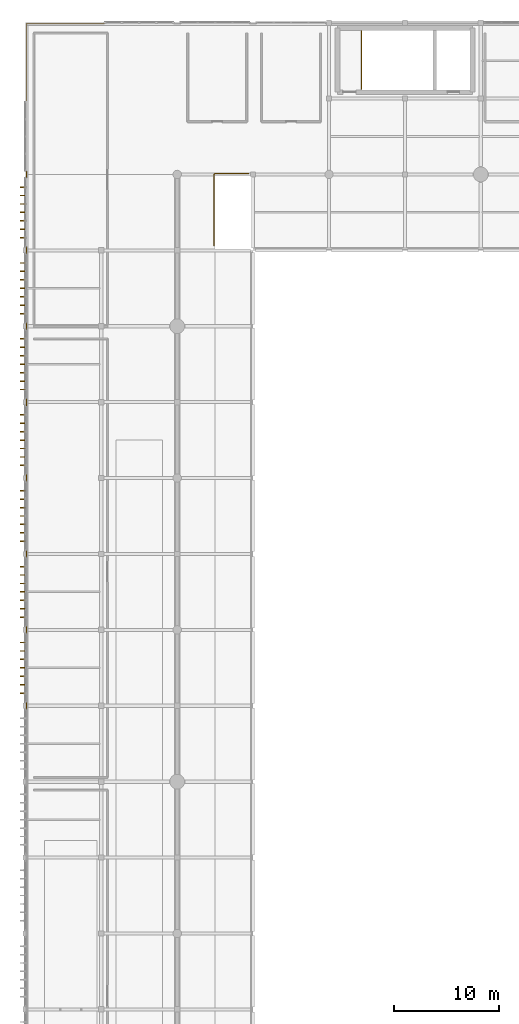
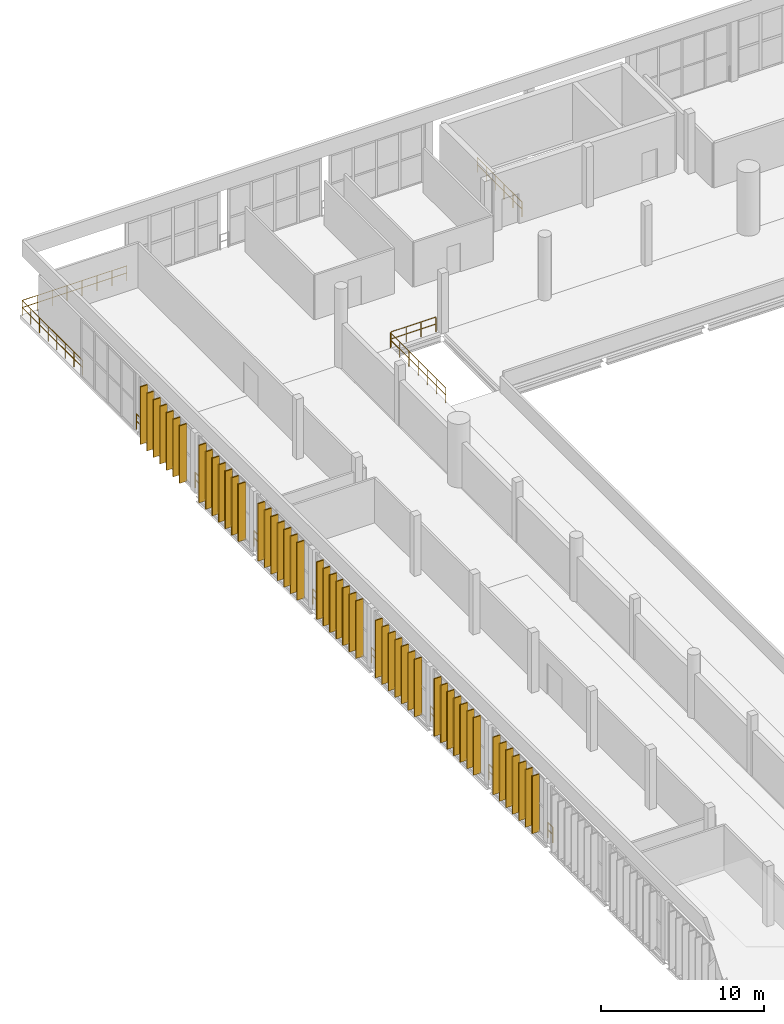
# One storey, part 62 of 64: 49 coverings, 28 shading devices, 11 railings.
"""IFC4 building model written with IfcOpenShell, lengths in metres."""

from ifc_helpers import new_model, si_unit, direction, frame, origin, origin_2d, place, context, subcontext, project, spatial, rectangle, circle, extrude, material, layer, layer_set, type_object, element, save


model = new_model("IFC4")

# Units and contexts
model_context = context("Model", 3, precision=1e-05, world=origin(), true_north=direction((0.0, 1.0)))
body_context = subcontext(model_context, "Body", "Model", "MODEL_VIEW")
ifc_project = project(units=[si_unit("LENGTHUNIT", "METRE"), si_unit("AREAUNIT", "SQUARE_METRE"), si_unit("VOLUMEUNIT", "CUBIC_METRE"), si_unit("PLANEANGLEUNIT", "RADIAN"), si_unit("MASSUNIT", "GRAM", prefix="KILO")], contexts=[model_context])

# Site, building, storey
site_placement = place(None, origin())
site = spatial("IfcSite", under=ifc_project, at=site_placement, CompositionType="ELEMENT")
building_placement = place(site_placement, origin())
building = spatial("IfcBuilding", under=site, at=building_placement, Name="Qandorah Velis Arena", CompositionType="ELEMENT")
storey_placement = place(building_placement, frame((0.0, 0.0, 23.0)))
storey = spatial("IfcBuildingStorey", under=building, at=storey_placement, Name="L05", CompositionType="ELEMENT", Elevation=23.0)

# Coverings
ifc_material_1 = material(Name="Champagne-bronze anodized aluminium 6063-T6", Category="aluminium")
ifc_layer = layer(ifc_material_1, 0.0849609375)
ifc_layer_set = layer_set([ifc_layer], Name="Champagne-bronze anodized aluminium 6063-T6")
covering_type = type_object("IfcCoveringType", Name="ARC-COV-FIN520", PredefinedType="CLADDING", material=ifc_layer_set)
for number, where, z_axis, x_axis, name in (
    (1, (-0.251953125, 66.0, -0.01025390625), (0.0, 0.0, 1.0), (1.0, 0.0, 0.0), "Vertical champagne-bronze solar fin blade WNG-W-L05-09-001"),
    (2, (-0.251953125, 66.800048828125, -0.01025390625), (0.0, 0.0, 1.0), (1.0, 0.0, 0.0), "Vertical champagne-bronze solar fin blade WNG-W-L05-09-002"),
    (3, (-0.251953125, 67.60009765625, -0.01025390625), (0.0, 0.0, 1.0), (1.0, 0.0, 0.0), "Vertical champagne-bronze solar fin blade WNG-W-L05-09-003"),
    (4, (-0.251953125, 68.39990234375, -0.01025390625), (0.0, 0.0, 1.0), (1.0, 0.0, 0.0), "Vertical champagne-bronze solar fin blade WNG-W-L05-09-004"),
    (5, (-0.251953125, 69.199951171875, -0.01025390625), (0.0, 0.0, 1.0), (1.0, 0.0, 0.0), "Vertical champagne-bronze solar fin blade WNG-W-L05-09-005"),
    (6, (-0.251953125, 70.0, -0.01025390625), (0.0, 0.0, 1.0), (1.0, 0.0, 0.0), "Vertical champagne-bronze solar fin blade WNG-W-L05-09-006"),
    (7, (-0.251953125, 70.800048828125, -0.01025390625), (0.0, 0.0, 1.0), (1.0, 0.0, 0.0), "Vertical champagne-bronze solar fin blade WNG-W-L05-09-007"),
    (8, (-0.251953125, 73.199951171875, -0.01025390625), (0.0, 0.0, 1.0), (1.0, 0.0, 0.0), "Vertical champagne-bronze solar fin blade WNG-W-L05-10-001"),
    (9, (-0.251953125, 74.0, -0.01025390625), (0.0, 0.0, 1.0), (1.0, 0.0, 0.0), "Vertical champagne-bronze solar fin blade WNG-W-L05-10-002"),
    (10, (-0.251953125, 74.800048828125, -0.01025390625), (0.0, 0.0, 1.0), (1.0, 0.0, 0.0), "Vertical champagne-bronze solar fin blade WNG-W-L05-10-003"),
    (11, (-0.251953125, 75.60009765625, -0.01025390625), (0.0, 0.0, 1.0), (1.0, 0.0, 0.0), "Vertical champagne-bronze solar fin blade WNG-W-L05-10-004"),
    (12, (-0.251953125, 76.39990234375, -0.01025390625), (0.0, 0.0, 1.0), (1.0, 0.0, 0.0), "Vertical champagne-bronze solar fin blade WNG-W-L05-10-005"),
    (13, (-0.251953125, 77.199951171875, -0.01025390625), (0.0, 0.0, 1.0), (1.0, 0.0, 0.0), "Vertical champagne-bronze solar fin blade WNG-W-L05-10-006"),
    (14, (-0.251953125, 78.0, -0.01025390625), (0.0, 0.0, 1.0), (1.0, 0.0, 0.0), "Vertical champagne-bronze solar fin blade WNG-W-L05-10-007"),
    (15, (-0.251953125, 80.39990234375, -0.01025390625), (0.0, 0.0, 1.0), (1.0, 0.0, 0.0), "Vertical champagne-bronze solar fin blade WNG-W-L05-11-001"),
    (16, (-0.251953125, 81.199951171875, -0.01025390625), (0.0, 0.0, 1.0), (1.0, 0.0, 0.0), "Vertical champagne-bronze solar fin blade WNG-W-L05-11-002"),
    (17, (-0.251953125, 82.0, -0.01025390625), (0.0, 0.0, 1.0), (1.0, 0.0, 0.0), "Vertical champagne-bronze solar fin blade WNG-W-L05-11-003"),
    (18, (-0.251953125, 82.800048828125, -0.01025390625), (0.0, 0.0, 1.0), (1.0, 0.0, 0.0), "Vertical champagne-bronze solar fin blade WNG-W-L05-11-004"),
    (19, (-0.251953125, 83.60009765625, -0.01025390625), (0.0, 0.0, 1.0), (1.0, 0.0, 0.0), "Vertical champagne-bronze solar fin blade WNG-W-L05-11-005"),
    (20, (-0.251953125, 84.39990234375, -0.01025390625), (0.0, 0.0, 1.0), (1.0, 0.0, 0.0), "Vertical champagne-bronze solar fin blade WNG-W-L05-11-006"),
    (21, (-0.251953125, 85.199951171875, -0.01025390625), (0.0, 0.0, 1.0), (1.0, 0.0, 0.0), "Vertical champagne-bronze solar fin blade WNG-W-L05-11-007"),
    (22, (-0.251953125, 87.60009765625, -0.01025390625), (0.0, 0.0, 1.0), (1.0, 0.0, 0.0), "Vertical champagne-bronze solar fin blade WNG-W-L05-12-001"),
    (23, (-0.251953125, 88.39990234375, -0.01025390625), (0.0, 0.0, 1.0), (1.0, 0.0, 0.0), "Vertical champagne-bronze solar fin blade WNG-W-L05-12-002"),
    (24, (-0.251953125, 89.199951171875, -0.01025390625), (0.0, 0.0, 1.0), (1.0, 0.0, 0.0), "Vertical champagne-bronze solar fin blade WNG-W-L05-12-003"),
    (25, (-0.251953125, 90.0, -0.01025390625), (0.0, 0.0, 1.0), (1.0, 0.0, 0.0), "Vertical champagne-bronze solar fin blade WNG-W-L05-12-004"),
    (26, (-0.251953125, 90.800048828125, -0.01025390625), (0.0, 0.0, 1.0), (1.0, 0.0, 0.0), "Vertical champagne-bronze solar fin blade WNG-W-L05-12-005"),
    (27, (-0.251953125, 91.60009765625, -0.01025390625), (0.0, 0.0, 1.0), (1.0, 0.0, 0.0), "Vertical champagne-bronze solar fin blade WNG-W-L05-12-006"),
    (28, (-0.251953125, 92.39990234375, -0.01025390625), (0.0, 0.0, 1.0), (1.0, 0.0, 0.0), "Vertical champagne-bronze solar fin blade WNG-W-L05-12-007"),
    (29, (-0.251953125, 94.800048828125, -0.01025390625), (0.0, 0.0, 1.0), (1.0, 0.0, 0.0), "Vertical champagne-bronze solar fin blade WNG-W-L05-13-001"),
    (30, (-0.251953125, 95.60009765625, -0.01025390625), (0.0, 0.0, 1.0), (1.0, 0.0, 0.0), "Vertical champagne-bronze solar fin blade WNG-W-L05-13-002"),
    (31, (-0.251953125, 96.39990234375, -0.01025390625), (0.0, 0.0, 1.0), (1.0, 0.0, 0.0), "Vertical champagne-bronze solar fin blade WNG-W-L05-13-003"),
    (32, (-0.251953125, 97.199951171875, -0.01025390625), (0.0, 0.0, 1.0), (1.0, 0.0, 0.0), "Vertical champagne-bronze solar fin blade WNG-W-L05-13-004"),
    (33, (-0.251953125, 98.0, -0.01025390625), (0.0, 0.0, 1.0), (1.0, 0.0, 0.0), "Vertical champagne-bronze solar fin blade WNG-W-L05-13-005"),
    (34, (-0.251953125, 98.800048828125, -0.01025390625), (0.0, 0.0, 1.0), (1.0, 0.0, 0.0), "Vertical champagne-bronze solar fin blade WNG-W-L05-13-006"),
    (35, (-0.251953125, 99.60009765625, -0.01025390625), (0.0, 0.0, 1.0), (1.0, 0.0, 0.0), "Vertical champagne-bronze solar fin blade WNG-W-L05-13-007"),
    (36, (-0.251953125, 102.0, -0.01025390625), (0.0, 0.0, 1.0), (1.0, 0.0, 0.0), "Vertical champagne-bronze solar fin blade WNG-W-L05-14-001"),
    (37, (-0.251953125, 102.800048828125, -0.01025390625), (0.0, 0.0, 1.0), (1.0, 0.0, 0.0), "Vertical champagne-bronze solar fin blade WNG-W-L05-14-002"),
    (38, (-0.251953125, 103.60009765625, -0.01025390625), (0.0, 0.0, 1.0), (1.0, 0.0, 0.0), "Vertical champagne-bronze solar fin blade WNG-W-L05-14-003"),
    (39, (-0.251953125, 104.39990234375, -0.01025390625), (0.0, 0.0, 1.0), (1.0, 0.0, 0.0), "Vertical champagne-bronze solar fin blade WNG-W-L05-14-004"),
    (40, (-0.251953125, 105.199951171875, -0.01025390625), (0.0, 0.0, 1.0), (1.0, 0.0, 0.0), "Vertical champagne-bronze solar fin blade WNG-W-L05-14-005"),
    (41, (-0.251953125, 106.0, -0.01025390625), (0.0, 0.0, 1.0), (1.0, 0.0, 0.0), "Vertical champagne-bronze solar fin blade WNG-W-L05-14-006"),
    (42, (-0.251953125, 106.800048828125, -0.01025390625), (0.0, 0.0, 1.0), (1.0, 0.0, 0.0), "Vertical champagne-bronze solar fin blade WNG-W-L05-14-007"),
    (43, (-0.251953125, 109.199951171875, -0.01025390625), (0.0, 0.0, 1.0), (1.0, 0.0, 0.0), "Vertical champagne-bronze solar fin blade WNG-W-L05-15-001"),
    (44, (-0.251953125, 110.0, -0.01025390625), (0.0, 0.0, 1.0), (1.0, 0.0, 0.0), "Vertical champagne-bronze solar fin blade WNG-W-L05-15-002"),
    (45, (-0.251953125, 110.800048828125, -0.01025390625), (0.0, 0.0, 1.0), (1.0, 0.0, 0.0), "Vertical champagne-bronze solar fin blade WNG-W-L05-15-003"),
    (46, (-0.251953125, 111.60009765625, -0.01025390625), (0.0, 0.0, 1.0), (1.0, 0.0, 0.0), "Vertical champagne-bronze solar fin blade WNG-W-L05-15-004"),
    (47, (-0.251953125, 112.39990234375, -0.01025390625), (0.0, 0.0, 1.0), (1.0, 0.0, 0.0), "Vertical champagne-bronze solar fin blade WNG-W-L05-15-005"),
    (48, (-0.251953125, 113.199951171875, -0.01025390625), (0.0, 0.0, 1.0), (1.0, 0.0, 0.0), "Vertical champagne-bronze solar fin blade WNG-W-L05-15-006"),
    (49, (-0.251953125, 114.0, -0.01025390625), (0.0, 0.0, 1.0), (1.0, 0.0, 0.0), "Vertical champagne-bronze solar fin blade WNG-W-L05-15-007"),
):
    element("IfcCovering", number, at=place(storey_placement, frame(where, z_axis=z_axis, x_axis=x_axis)), inside=storey, type_object=covering_type, Name=name, PredefinedType="CLADDING", context=body_context, shape_type="SweptSolid", body=[
        extrude(rectangle(XDim=0.52001953125, YDim=0.0849609375, at=origin_2d()), origin(), (0.0, 0.0, 1.0), 4.300048828125),
    ])

# Railings
ifc_material_2 = material(Name="Stainless steel 316", Category="steel")
railing_type = type_object("IfcRailingType", Name="ARC-RL-GRD1150", PredefinedType="GUARDRAIL", material=ifc_material_2)
railing_1_placement = place(storey_placement, frame((31.8701171875, 123.31005859375, 0.0)))
element("IfcRailing", 50, at=railing_1_placement, inside=storey, type_object=railing_type, Name="Stair ST3 top well guardrail L05", PredefinedType="GUARDRAIL", context=body_context, shape_type="SweptSolid", body=[
    extrude(circle(Radius=0.02392578125, at=origin_2d()), frame((0.0, 0.0, 1.1259765625), z_axis=(0.0, 1.0, 0.0), x_axis=(-1.0, 0.0, 0.0)), (0.0, 0.0, 1.0), 5.47998046875),
    extrude(circle(Radius=0.02392578125, at=origin_2d()), frame((0.0, 0.0, 0.597900390625), z_axis=(0.0, 1.0, 0.0), x_axis=(-1.0, 0.0, 0.0)), (0.0, 0.0, 1.0), 5.47998046875),
    extrude(circle(Radius=0.02099609375, at=origin_2d()), origin(), (0.0, 0.0, 1.0), 1.101806640625),
    extrude(circle(Radius=0.02099609375, at=origin_2d()), frame((0.0, 1.095947265625, 0.0)), (0.0, 0.0, 1.0), 1.101806640625),
    extrude(circle(Radius=0.02099609375, at=origin_2d()), frame((0.0, 2.19189453125, 0.0)), (0.0, 0.0, 1.0), 1.101806640625),
    extrude(circle(Radius=0.02099609375, at=origin_2d()), frame((0.0, 3.2880859375, 0.0)), (0.0, 0.0, 1.0), 1.101806640625),
    extrude(circle(Radius=0.02099609375, at=origin_2d()), frame((0.0, 4.384033203125, 0.0)), (0.0, 0.0, 1.0), 1.101806640625),
    extrude(circle(Radius=0.02099609375, at=origin_2d()), frame((0.0, 5.47998046875, 0.0)), (0.0, 0.0, 1.0), 1.101806640625),
])
for number, where, name in (
    (51, (0.10009765625, 64.5, 0.0), "Slab edge safety guardrail L05-254"),
    (52, (0.10009765625, 71.699951171875, 0.0), "Slab edge safety guardrail L05-255"),
    (53, (0.10009765625, 78.89990234375, 0.0), "Slab edge safety guardrail L05-256"),
):
    element("IfcRailing", number, at=place(storey_placement, frame(where)), inside=storey, type_object=railing_type, Name=name, PredefinedType="GUARDRAIL", context=body_context, shape_type="SweptSolid", body=[
        extrude(circle(Radius=0.02392578125, at=origin_2d()), frame((0.0, 0.0, 1.1259765625), z_axis=(0.0, 1.0, 0.0), x_axis=(-1.0, 0.0, 0.0)), (0.0, 0.0, 1.0), 0.60009765625),
        extrude(circle(Radius=0.02392578125, at=origin_2d()), frame((0.0, 0.0, 0.597900390625), z_axis=(0.0, 1.0, 0.0), x_axis=(-1.0, 0.0, 0.0)), (0.0, 0.0, 1.0), 0.60009765625),
        extrude(circle(Radius=0.02099609375, at=origin_2d()), origin(), (0.0, 0.0, 1.0), 1.101806640625),
        extrude(circle(Radius=0.02099609375, at=origin_2d()), frame((0.0, 0.60009765625, 0.0)), (0.0, 0.0, 1.0), 1.101806640625),
    ])
for number, where, name in (
    (54, (0.10009765625, 86.10009765625, 0.0), "Slab edge safety guardrail L05-257"),
    (55, (0.10009765625, 93.300048828125, 0.0), "Slab edge safety guardrail L05-258"),
):
    element("IfcRailing", number, at=place(storey_placement, frame(where)), inside=storey, type_object=railing_type, Name=name, PredefinedType="GUARDRAIL", context=body_context, shape_type="SweptSolid", body=[
        extrude(circle(Radius=0.02392578125, at=origin_2d()), frame((0.0, 0.0, 1.1259765625), z_axis=(0.0, 1.0, 0.0), x_axis=(-1.0, 0.0, 0.0)), (0.0, 0.0, 1.0), 0.599853515625),
        extrude(circle(Radius=0.02392578125, at=origin_2d()), frame((0.0, 0.0, 0.597900390625), z_axis=(0.0, 1.0, 0.0), x_axis=(-1.0, 0.0, 0.0)), (0.0, 0.0, 1.0), 0.599853515625),
        extrude(circle(Radius=0.02099609375, at=origin_2d()), origin(), (0.0, 0.0, 1.0), 1.101806640625),
        extrude(circle(Radius=0.02099609375, at=origin_2d()), frame((0.0, 0.599853515625, 0.0)), (0.0, 0.0, 1.0), 1.101806640625),
    ])
for number, where, name in (
    (56, (0.10009765625, 100.5, 0.0), "Slab edge safety guardrail L05-259"),
    (57, (0.10009765625, 107.699951171875, 0.0), "Slab edge safety guardrail L05-260"),
    (58, (0.10009765625, 114.89990234375, 0.0), "Slab edge safety guardrail L05-261"),
):
    element("IfcRailing", number, at=place(storey_placement, frame(where)), inside=storey, type_object=railing_type, Name=name, PredefinedType="GUARDRAIL", context=body_context, shape_type="SweptSolid", body=[
        extrude(circle(Radius=0.02392578125, at=origin_2d()), frame((0.0, 0.0, 1.1259765625), z_axis=(0.0, 1.0, 0.0), x_axis=(-1.0, 0.0, 0.0)), (0.0, 0.0, 1.0), 0.60009765625),
        extrude(circle(Radius=0.02392578125, at=origin_2d()), frame((0.0, 0.0, 0.597900390625), z_axis=(0.0, 1.0, 0.0), x_axis=(-1.0, 0.0, 0.0)), (0.0, 0.0, 1.0), 0.60009765625),
        extrude(circle(Radius=0.02099609375, at=origin_2d()), origin(), (0.0, 0.0, 1.0), 1.101806640625),
        extrude(circle(Radius=0.02099609375, at=origin_2d()), frame((0.0, 0.60009765625, 0.0)), (0.0, 0.0, 1.0), 1.101806640625),
    ])
railing_2_placement = place(storey_placement, frame((0.10009765625, 122.10009765625, 0.0)))
element("IfcRailing", 59, at=railing_2_placement, inside=storey, type_object=railing_type, Name="Slab edge safety guardrail L05-262", PredefinedType="GUARDRAIL", context=body_context, shape_type="SweptSolid", body=[
    extrude(circle(Radius=0.02392578125, at=origin_2d()), frame((0.0, 0.0, 1.1259765625), z_axis=(0.0, 1.0, 0.0), x_axis=(-1.0, 0.0, 0.0)), (0.0, 0.0, 1.0), 7.39990234375),
    extrude(circle(Radius=0.02392578125, at=origin_2d()), frame((0.0, 0.0, 0.597900390625), z_axis=(0.0, 1.0, 0.0), x_axis=(-1.0, 0.0, 0.0)), (0.0, 0.0, 1.0), 7.39990234375),
    extrude(circle(Radius=0.02392578125, at=origin_2d()), frame((0.0, 7.39990234375, 1.1259765625), z_axis=(1.0, 0.0, 0.0), x_axis=(0.0, 1.0, 0.0)), (0.0, 0.0, 1.0), 7.39990234375),
    extrude(circle(Radius=0.02392578125, at=origin_2d()), frame((0.0, 7.39990234375, 0.597900390625), z_axis=(1.0, 0.0, 0.0), x_axis=(0.0, 1.0, 0.0)), (0.0, 0.0, 1.0), 7.39990234375),
    extrude(circle(Radius=0.02099609375, at=origin_2d()), origin(), (0.0, 0.0, 1.0), 1.101806640625),
    extrude(circle(Radius=0.02099609375, at=origin_2d()), frame((0.0, 1.05712890625, 0.0)), (0.0, 0.0, 1.0), 1.101806640625),
    extrude(circle(Radius=0.02099609375, at=origin_2d()), frame((0.0, 2.1142578125, 0.0)), (0.0, 0.0, 1.0), 1.101806640625),
    extrude(circle(Radius=0.02099609375, at=origin_2d()), frame((0.0, 3.17138671875, 0.0)), (0.0, 0.0, 1.0), 1.101806640625),
    extrude(circle(Radius=0.02099609375, at=origin_2d()), frame((0.0, 4.228515625, 0.0)), (0.0, 0.0, 1.0), 1.101806640625),
    extrude(circle(Radius=0.02099609375, at=origin_2d()), frame((0.0, 5.28564453125, 0.0)), (0.0, 0.0, 1.0), 1.101806640625),
    extrude(circle(Radius=0.02099609375, at=origin_2d()), frame((0.0, 6.3427734375, 0.0)), (0.0, 0.0, 1.0), 1.101806640625),
    extrude(circle(Radius=0.02099609375, at=origin_2d()), frame((0.0, 7.39990234375, 0.0)), (0.0, 0.0, 1.0), 1.101806640625),
    extrude(circle(Radius=0.02099609375, at=origin_2d()), frame((1.05712890625, 7.39990234375, 0.0)), (0.0, 0.0, 1.0), 1.101806640625),
    extrude(circle(Radius=0.02099609375, at=origin_2d()), frame((2.1142578125, 7.39990234375, 0.0)), (0.0, 0.0, 1.0), 1.101806640625),
    extrude(circle(Radius=0.02099609375, at=origin_2d()), frame((3.17138671875, 7.39990234375, 0.0)), (0.0, 0.0, 1.0), 1.101806640625),
    extrude(circle(Radius=0.02099609375, at=origin_2d()), frame((4.228515625, 7.39990234375, 0.0)), (0.0, 0.0, 1.0), 1.101806640625),
    extrude(circle(Radius=0.02099609375, at=origin_2d()), frame((5.28564453125, 7.39990234375, 0.0)), (0.0, 0.0, 1.0), 1.101806640625),
    extrude(circle(Radius=0.02099609375, at=origin_2d()), frame((6.3427734375, 7.39990234375, 0.0)), (0.0, 0.0, 1.0), 1.101806640625),
    extrude(circle(Radius=0.02099609375, at=origin_2d()), frame((7.39990234375, 7.39990234375, 0.0)), (0.0, 0.0, 1.0), 1.101806640625),
])
railing_3_placement = place(storey_placement, frame((21.16162109375, 115.300048828125, 0.0)))
element("IfcRailing", 60, at=railing_3_placement, inside=storey, type_object=railing_type, Name="Slab edge safety guardrail L05-271", PredefinedType="GUARDRAIL", context=body_context, shape_type="SweptSolid", body=[
    extrude(circle(Radius=0.02392578125, at=origin_2d()), frame((0.0, 0.0, 1.1259765625), z_axis=(-1.0, 0.0, 0.0), x_axis=(0.0, -1.0, 0.0)), (0.0, 0.0, 1.0), 3.16162109375),
    extrude(circle(Radius=0.02392578125, at=origin_2d()), frame((0.0, 0.0, 0.597900390625), z_axis=(-1.0, 0.0, 0.0), x_axis=(0.0, -1.0, 0.0)), (0.0, 0.0, 1.0), 3.16162109375),
    extrude(circle(Radius=0.02392578125, at=origin_2d()), frame((-3.16162109375, 0.0, 1.1259765625), z_axis=(-0.772928297309, -0.634493378388, 0.0), x_axis=(0.634493378388, -0.772928297309, 0.0)), (0.0, 0.0, 1.0), 0.126953125),
    extrude(circle(Radius=0.02392578125, at=origin_2d()), frame((-3.16162109375, 0.0, 0.597900390625), z_axis=(-0.772928297309, -0.634493378388, 0.0), x_axis=(0.634493378388, -0.772928297309, 0.0)), (0.0, 0.0, 1.0), 0.126953125),
    extrude(circle(Radius=0.02392578125, at=origin_2d()), frame((-3.259765625, -0.08056640625, 1.1259765625), z_axis=(-0.000288018421, -0.999999958523, 0.0), x_axis=(0.999999958523, -0.000288018421, 0.0)), (0.0, 0.0, 1.0), 6.78125),
    extrude(circle(Radius=0.02392578125, at=origin_2d()), frame((-3.259765625, -0.08056640625, 0.597900390625), z_axis=(-0.000288018421, -0.999999958523, 0.0), x_axis=(0.999999958523, -0.000288018421, 0.0)), (0.0, 0.0, 1.0), 6.78125),
    extrude(circle(Radius=0.02099609375, at=origin_2d()), origin(), (0.0, 0.0, 1.0), 1.101806640625),
    extrude(circle(Radius=0.02099609375, at=origin_2d()), frame((-1.053955078125, 0.0, 0.0)), (0.0, 0.0, 1.0), 1.101806640625),
    extrude(circle(Radius=0.02099609375, at=origin_2d()), frame((-2.107666015625, 0.0, 0.0)), (0.0, 0.0, 1.0), 1.101806640625),
    extrude(circle(Radius=0.02099609375, at=origin_2d()), frame((-3.16162109375, 0.0, 0.0)), (0.0, 0.0, 1.0), 1.101806640625),
    extrude(circle(Radius=0.02099609375, at=origin_2d()), frame((-3.259765625, -0.08056640625, 0.0)), (0.0, 0.0, 1.0), 1.101806640625),
    extrude(circle(Radius=0.02099609375, at=origin_2d()), frame((-3.260009765625, -1.210693359375, 0.0)), (0.0, 0.0, 1.0), 1.101806640625),
    extrude(circle(Radius=0.02099609375, at=origin_2d()), frame((-3.260498046875, -2.341064453125, 0.0)), (0.0, 0.0, 1.0), 1.101806640625),
    extrude(circle(Radius=0.02099609375, at=origin_2d()), frame((-3.2607421875, -3.47119140625, 0.0)), (0.0, 0.0, 1.0), 1.101806640625),
    extrude(circle(Radius=0.02099609375, at=origin_2d()), frame((-3.260986328125, -4.601318359375, 0.0)), (0.0, 0.0, 1.0), 1.101806640625),
    extrude(circle(Radius=0.02099609375, at=origin_2d()), frame((-3.261474609375, -5.731689453125, 0.0)), (0.0, 0.0, 1.0), 1.101806640625),
    extrude(circle(Radius=0.02099609375, at=origin_2d()), frame((-3.26171875, -6.86181640625, 0.0)), (0.0, 0.0, 1.0), 1.101806640625),
])

# Shading devices
shading_device_type = type_object("IfcShadingDeviceType", Name="ARC-SHD-FIN520", PredefinedType="USERDEFINED", material=ifc_material_1)
for number, where, z_axis, x_axis, name in (
    (61, (-0.251953125, 66.0, -0.01025390625), (0.0, 0.0, 1.0), (1.0, 0.0, 0.0), "Vertical aerofoil solar fin SF-0199"),
    (62, (-0.251953125, 67.60009765625, -0.01025390625), (0.0, 0.0, 1.0), (1.0, 0.0, 0.0), "Vertical aerofoil solar fin SF-0200"),
    (63, (-0.251953125, 69.199951171875, -0.01025390625), (0.0, 0.0, 1.0), (1.0, 0.0, 0.0), "Vertical aerofoil solar fin SF-0201"),
    (64, (-0.251953125, 70.800048828125, -0.01025390625), (0.0, 0.0, 1.0), (1.0, 0.0, 0.0), "Vertical aerofoil solar fin SF-0202"),
    (65, (-0.251953125, 73.199951171875, -0.01025390625), (0.0, 0.0, 1.0), (1.0, 0.0, 0.0), "Vertical aerofoil solar fin SF-0203"),
    (66, (-0.251953125, 74.800048828125, -0.01025390625), (0.0, 0.0, 1.0), (1.0, 0.0, 0.0), "Vertical aerofoil solar fin SF-0204"),
    (67, (-0.251953125, 76.39990234375, -0.01025390625), (0.0, 0.0, 1.0), (1.0, 0.0, 0.0), "Vertical aerofoil solar fin SF-0205"),
    (68, (-0.251953125, 78.0, -0.01025390625), (0.0, 0.0, 1.0), (1.0, 0.0, 0.0), "Vertical aerofoil solar fin SF-0206"),
    (69, (-0.251953125, 80.39990234375, -0.01025390625), (0.0, 0.0, 1.0), (1.0, 0.0, 0.0), "Vertical aerofoil solar fin SF-0207"),
    (70, (-0.251953125, 82.0, -0.01025390625), (0.0, 0.0, 1.0), (1.0, 0.0, 0.0), "Vertical aerofoil solar fin SF-0208"),
    (71, (-0.251953125, 83.60009765625, -0.01025390625), (0.0, 0.0, 1.0), (1.0, 0.0, 0.0), "Vertical aerofoil solar fin SF-0209"),
    (72, (-0.251953125, 85.199951171875, -0.01025390625), (0.0, 0.0, 1.0), (1.0, 0.0, 0.0), "Vertical aerofoil solar fin SF-0210"),
    (73, (-0.251953125, 87.60009765625, -0.01025390625), (0.0, 0.0, 1.0), (1.0, 0.0, 0.0), "Vertical aerofoil solar fin SF-0211"),
    (74, (-0.251953125, 89.199951171875, -0.01025390625), (0.0, 0.0, 1.0), (1.0, 0.0, 0.0), "Vertical aerofoil solar fin SF-0212"),
    (75, (-0.251953125, 90.800048828125, -0.01025390625), (0.0, 0.0, 1.0), (1.0, 0.0, 0.0), "Vertical aerofoil solar fin SF-0213"),
    (76, (-0.251953125, 92.39990234375, -0.01025390625), (0.0, 0.0, 1.0), (1.0, 0.0, 0.0), "Vertical aerofoil solar fin SF-0214"),
    (77, (-0.251953125, 94.800048828125, -0.01025390625), (0.0, 0.0, 1.0), (1.0, 0.0, 0.0), "Vertical aerofoil solar fin SF-0215"),
    (78, (-0.251953125, 96.39990234375, -0.01025390625), (0.0, 0.0, 1.0), (1.0, 0.0, 0.0), "Vertical aerofoil solar fin SF-0216"),
    (79, (-0.251953125, 98.0, -0.01025390625), (0.0, 0.0, 1.0), (1.0, 0.0, 0.0), "Vertical aerofoil solar fin SF-0217"),
    (80, (-0.251953125, 99.60009765625, -0.01025390625), (0.0, 0.0, 1.0), (1.0, 0.0, 0.0), "Vertical aerofoil solar fin SF-0218"),
    (81, (-0.251953125, 102.0, -0.01025390625), (0.0, 0.0, 1.0), (1.0, 0.0, 0.0), "Vertical aerofoil solar fin SF-0219"),
    (82, (-0.251953125, 103.60009765625, -0.01025390625), (0.0, 0.0, 1.0), (1.0, 0.0, 0.0), "Vertical aerofoil solar fin SF-0220"),
    (83, (-0.251953125, 105.199951171875, -0.01025390625), (0.0, 0.0, 1.0), (1.0, 0.0, 0.0), "Vertical aerofoil solar fin SF-0221"),
    (84, (-0.251953125, 106.800048828125, -0.01025390625), (0.0, 0.0, 1.0), (1.0, 0.0, 0.0), "Vertical aerofoil solar fin SF-0222"),
    (85, (-0.251953125, 109.199951171875, -0.01025390625), (0.0, 0.0, 1.0), (1.0, 0.0, 0.0), "Vertical aerofoil solar fin SF-0223"),
    (86, (-0.251953125, 110.800048828125, -0.01025390625), (0.0, 0.0, 1.0), (1.0, 0.0, 0.0), "Vertical aerofoil solar fin SF-0224"),
    (87, (-0.251953125, 112.39990234375, -0.01025390625), (0.0, 0.0, 1.0), (1.0, 0.0, 0.0), "Vertical aerofoil solar fin SF-0225"),
    (88, (-0.251953125, 114.0, -0.01025390625), (0.0, 0.0, 1.0), (1.0, 0.0, 0.0), "Vertical aerofoil solar fin SF-0226"),
):
    element("IfcShadingDevice", number, at=place(storey_placement, frame(where, z_axis=z_axis, x_axis=x_axis)), inside=storey, type_object=shading_device_type, Name=name, ObjectType="SOLAR FIN", PredefinedType="USERDEFINED", context=body_context, shape_type="SweptSolid", body=[
        extrude(rectangle(XDim=0.52001953125, YDim=0.0849609375, at=origin_2d()), origin(), (0.0, 0.0, 1.0), 4.300048828125),
    ])

save(model, "model.ifc")
